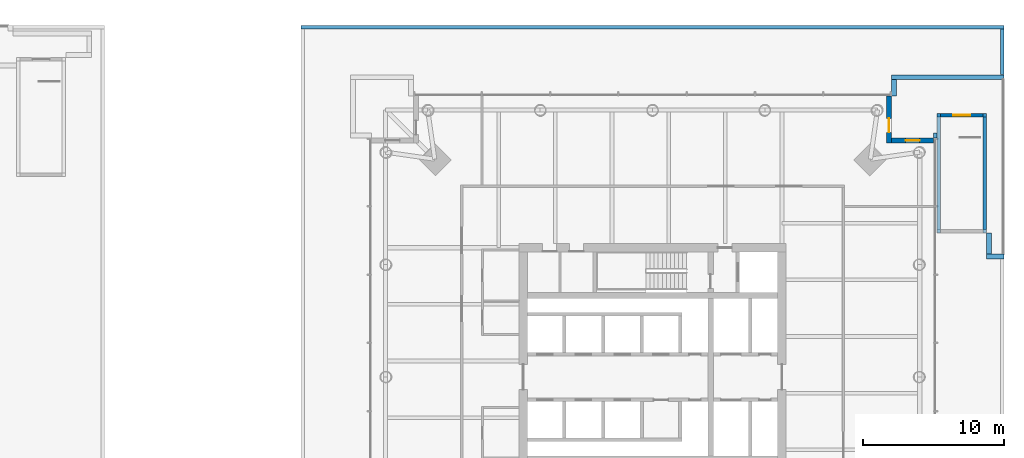
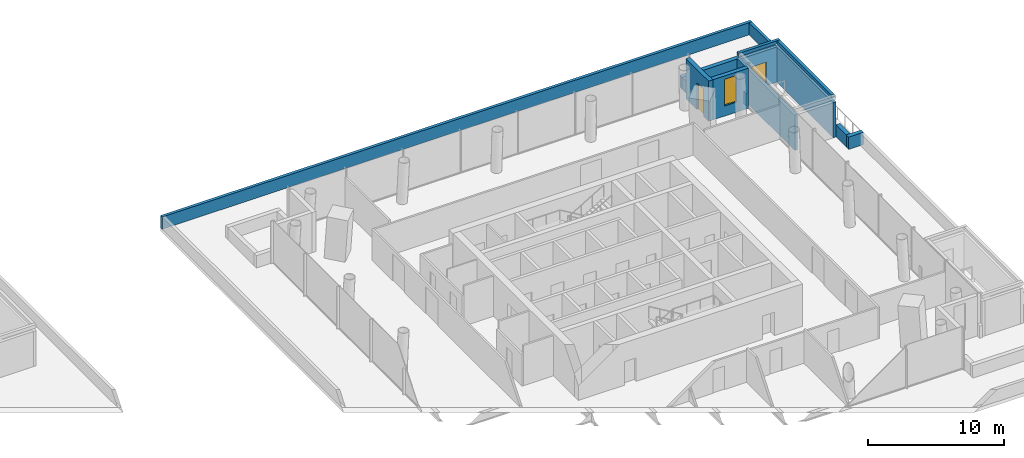
# One storey, part 16 of 19: 14 walls, 2 doors, 1 window, 3 openings.
"""IFC4 building model written with IfcOpenShell, lengths in metres."""

from ifc_helpers import new_model, si_unit, direction, frame, frame_2d, origin, place, context, subcontext, project, spatial, rectangle, extrude, material, layer, layer_set, type_object, element, fill, save


model = new_model("IFC4")

# Units and contexts
model_context = context("Model", 3, precision=1e-05, world=origin(), true_north=direction((0.0, 1.0)))
body_context = subcontext(model_context, "Body", "Model", "MODEL_VIEW")
ifc_project = project(units=[si_unit("LENGTHUNIT", "METRE"), si_unit("AREAUNIT", "SQUARE_METRE"), si_unit("VOLUMEUNIT", "CUBIC_METRE"), si_unit("PLANEANGLEUNIT", "RADIAN"), si_unit("MASSUNIT", "GRAM", prefix="KILO")], contexts=[model_context])

# Site, building, storey
site_placement = place(None, origin())
site = spatial("IfcSite", under=ifc_project, at=site_placement, CompositionType="ELEMENT")
building_placement = place(site_placement, origin())
building = spatial("IfcBuilding", under=site, at=building_placement, Name="Ostroluk Exchange", CompositionType="ELEMENT")
storey_placement = place(building_placement, frame((0.0, 0.0, 21.0)))
storey = spatial("IfcBuildingStorey", under=building, at=storey_placement, Name="L04", CompositionType="ELEMENT", Elevation=21.0)

# Walls
ifc_material_1 = material(Name="Limestone", Category="masonry")
ifc_layer_1 = layer(ifc_material_1, 0.25)
ifc_layer_set_1 = layer_set([ifc_layer_1], Name="Green roof parapet 250")
wall_type_1 = type_object("IfcWallType", Name="Green roof parapet 250", PredefinedType="PARAPET", material=ifc_layer_set_1)
wall_1_placement = place(storey_placement, frame((92.0, 70.875, 0.0), z_axis=(0.0, 0.0, 1.0), x_axis=(1.0, 0.0, 0.0)))
element("IfcWall", 1, at=wall_1_placement, inside=storey, type_object=wall_type_1, Name="Green roof parapet L04 3", PredefinedType="PARAPET", context=body_context, shape_type="SweptSolid", body=[
    extrude(rectangle(XDim=50.0, YDim=0.25, at=frame_2d((25.0, 0.0))), origin(), (0.0, 0.0, 1.0), 1.10009765625),
])
wall_2_placement = place(storey_placement, frame((141.875, 67.510009765625, 0.0), z_axis=(0.0, 0.0, 1.0), x_axis=(0.0, 1.0, 0.0)))
element("IfcWall", 2, at=wall_2_placement, inside=storey, type_object=wall_type_1, Name="Green roof parapet L04 5", PredefinedType="PARAPET", context=body_context, shape_type="SweptSolid", body=[
    extrude(rectangle(XDim=3.239990234375, YDim=0.25, at=frame_2d((1.6201171875, 0.0))), origin(), (0.0, 0.0, 1.0), 1.10009765625),
])

# Wall, opening, door
ifc_material_2 = material(Name="Limestone", Category="masonry")
ifc_layer_2 = layer(ifc_material_2, 0.35009765625)
ifc_layer_set_2 = layer_set([ifc_layer_2], Name="Limestone facade wall 350")
wall_type_2 = type_object("IfcWallType", Name="Limestone facade wall 350", PredefinedType="SOLIDWALL", material=ifc_layer_set_2)
wall_3_placement = place(storey_placement, frame((133.824951171875, 66.0, 0.0), z_axis=(0.0, 0.0, 1.0), x_axis=(0.0, -1.0, 0.0)))
wall_3 = element("IfcWall", 3, at=wall_3_placement, inside=storey, type_object=wall_type_2, Name="Hotel tower NE corner wall L04 a", PredefinedType="SOLIDWALL", context=body_context, shape_type="SweptSolid", body=[
    extrude(rectangle(XDim=3.35009765625, YDim=0.35009765625, at=frame_2d((1.675048828125, 0.0))), origin(), (0.0, 0.0, 1.0), 3.60009765625),
])
opening_1_placement = place(wall_3_placement, frame((1.60009765625, 0.0, 0.0)))
opening_1 = element("IfcOpeningElement", 4, at=opening_1_placement, cuts=wall_3, Name="Opening D-B1", PredefinedType="OPENING", context=body_context, shape_type="SweptSolid", body=[
    extrude(rectangle(XDim=1.0, YDim=2.39990234375, at=frame_2d((0.5, 1.199951171875))), frame((0.0, 0.18505859375, 0.0), z_axis=(0.0, -1.0, 0.0), x_axis=(1.0, 0.0, 0.0)), (0.0, 0.0, 1.0), 0.3701171875),
])
ifc_material_3 = material(Name="Bronze framed glazed door", Category="aluminium")
door_type_1 = type_object("IfcDoorType", Name="Balcony door 1000 x 2400", OperationType="SINGLE_SWING_LEFT", PredefinedType="DOOR", material=ifc_material_3)
door_1_placement = place(opening_1_placement, origin())
door_1 = element("IfcDoor", 5, at=door_1_placement, inside=storey, type_object=door_type_1, Name="Hotel tower NE balcony door L04", OperationType="SINGLE_SWING_RIGHT", OverallHeight=2.39990234375, OverallWidth=1.0, PredefinedType="DOOR", context=body_context, shape_type="SweptSolid", body=[
    extrude(rectangle(XDim=1.0, YDim=2.39990234375, at=frame_2d((0.5, 1.199951171875))), frame((0.0, 0.02490234375, 0.0), z_axis=(0.0, -1.0, 0.0), x_axis=(1.0, 0.0, 0.0)), (0.0, 0.0, 1.0), 0.050048828125),
])
fill(opening_1, door_1)

# Wall, opening, window
wall_4_placement = place(storey_placement, frame((134.0, 62.824951171875, 0.0), z_axis=(0.0, 0.0, 1.0), x_axis=(1.0, 0.0, 0.0)))
wall_4 = element("IfcWall", 6, at=wall_4_placement, inside=storey, type_object=wall_type_2, Name="Hotel tower NE corner wall L04 b", PredefinedType="SOLIDWALL", context=body_context, shape_type="SweptSolid", body=[
    extrude(rectangle(XDim=3.0, YDim=0.35009765625, at=frame_2d((1.5, 0.0))), origin(), (0.0, 0.0, 1.0), 3.60009765625),
])
opening_2_placement = place(wall_4_placement, frame((1.0, 0.0, 0.89990234375)))
opening_2 = element("IfcOpeningElement", 7, at=opening_2_placement, cuts=wall_4, Name="Opening WN-L3", PredefinedType="OPENING", context=body_context, shape_type="SweptSolid", body=[
    extrude(rectangle(XDim=1.0, YDim=2.39990234375, at=frame_2d((0.5, 1.199951171875))), frame((0.0, 0.18505859375, 0.0), z_axis=(0.0, -1.0, 0.0), x_axis=(1.0, 0.0, 0.0)), (0.0, 0.0, 1.0), 0.3701171875),
])
ifc_material_4 = material(Name="Laminated clear glass", Category="glass")
window_type = type_object("IfcWindowType", Name="Hotel lancet window 1000 x 2400", PartitioningType="SINGLE_PANEL", PredefinedType="WINDOW", material=ifc_material_4)
window_placement = place(opening_2_placement, origin())
window = element("IfcWindow", 8, at=window_placement, inside=storey, type_object=window_type, Name="Hotel tower NE lancet window L04", OverallHeight=2.39990234375, OverallWidth=1.0, PartitioningType="SINGLE_PANEL", PredefinedType="WINDOW", context=body_context, shape_type="SweptSolid", body=[
    extrude(rectangle(XDim=1.0, YDim=2.39990234375, at=frame_2d((0.5, 1.199951171875))), frame((0.0, 0.030029296875, 0.0), z_axis=(0.0, -1.0, 0.0), x_axis=(1.0, 0.0, 0.0)), (0.0, 0.0, 1.0), 0.06005859375),
])
fill(opening_2, window)

# Walls
ifc_material_5 = material(Name="Limestone", Category="masonry")
ifc_layer_3 = layer(ifc_material_5, 0.35009765625)
ifc_layer_set_3 = layer_set([ifc_layer_3], Name="Planter wall 350")
wall_type_3 = type_object("IfcWallType", Name="Planter wall 350", PredefinedType="PARAPET", material=ifc_layer_set_3)
wall_5_placement = place(storey_placement, frame((134.175048828125, 65.989990234375, 0.0), z_axis=(0.0, 0.0, 1.0), x_axis=(0.0, 1.0, 0.0)))
element("IfcWall", 9, at=wall_5_placement, inside=storey, type_object=wall_type_3, Name="Terrace planter wall L04 1", PredefinedType="PARAPET", context=body_context, shape_type="SweptSolid", body=[
    extrude(rectangle(XDim=1.159912109375, YDim=0.35009765625, at=frame_2d((0.580078125, 0.0))), origin(), (0.0, 0.0, 1.0), 1.10009765625),
])
wall_6_placement = place(storey_placement, frame((134.0, 67.324951171875, 0.0), z_axis=(0.0, 0.0, 1.0), x_axis=(1.0, 0.0, 0.0)))
element("IfcWall", 10, at=wall_6_placement, inside=storey, type_object=wall_type_3, Name="Terrace planter wall L04 2", PredefinedType="PARAPET", context=body_context, shape_type="SweptSolid", body=[
    extrude(rectangle(XDim=8.0, YDim=0.35009765625, at=frame_2d((4.0, 0.0))), origin(), (0.0, 0.0, 1.0), 1.10009765625),
])
wall_7_placement = place(storey_placement, frame((137.114990234375, 63.0, 0.0), z_axis=(0.0, 0.0, 1.0), x_axis=(0.0, 1.0, 0.0)))
element("IfcWall", 11, at=wall_7_placement, inside=storey, type_object=wall_type_3, Name="Terrace planter wall L04 3", PredefinedType="PARAPET", context=body_context, shape_type="SweptSolid", body=[
    extrude(rectangle(XDim=0.35009765625, YDim=0.25, at=frame_2d((0.175048828125, 0.0))), origin(), (0.0, 0.0, 1.0), 1.10009765625),
])
wall_8_placement = place(storey_placement, frame((140.75, 54.574951171875, 0.0), z_axis=(0.0, 0.0, 1.0), x_axis=(1.0, 0.0, 0.0)))
element("IfcWall", 12, at=wall_8_placement, inside=storey, type_object=wall_type_3, Name="Terrace planter wall L04 4", PredefinedType="PARAPET", context=body_context, shape_type="SweptSolid", body=[
    extrude(rectangle(XDim=1.25, YDim=0.35009765625, at=frame_2d((0.625, 0.0))), origin(), (0.0, 0.0, 1.0), 1.10009765625),
])
wall_9_placement = place(storey_placement, frame((140.925048828125, 54.75, 0.0), z_axis=(0.0, 0.0, 1.0), x_axis=(0.0, 1.0, 0.0)))
element("IfcWall", 13, at=wall_9_placement, inside=storey, type_object=wall_type_3, Name="Terrace planter wall L04 5", PredefinedType="PARAPET", context=body_context, shape_type="SweptSolid", body=[
    extrude(rectangle(XDim=1.489990234375, YDim=0.35009765625, at=frame_2d((0.7451171875, 0.0))), origin(), (0.0, 0.0, 1.0), 1.10009765625),
])
ifc_material_6 = material(Name="Concrete C30/37", Category="concrete")
ifc_layer_4 = layer(ifc_material_6, 0.25)
ifc_layer_set_4 = layer_set([ifc_layer_4], Name="Stair head-house roof upstand 250 EI 120")
wall_type_4 = type_object("IfcWallType", Name="Stair head-house roof upstand 250 EI 120", PredefinedType="PARAPET", material=ifc_layer_set_4)
wall_10_placement = place(storey_placement, frame((137.25, 64.625, 3.39990234375), z_axis=(0.0, 0.0, 1.0), x_axis=(1.0, 0.0, 0.0)))
element("IfcWall", 14, at=wall_10_placement, inside=storey, type_object=wall_type_4, Name="Stair PS8 head-house roof upstand 3", PredefinedType="PARAPET", context=body_context, shape_type="SweptSolid", body=[
    extrude(rectangle(XDim=3.5, YDim=0.25, at=frame_2d((1.75, 0.0))), origin(), (0.0, 0.0, 1.0), 0.300048828125),
])
wall_11_placement = place(storey_placement, frame((140.625, 56.5, 3.39990234375), z_axis=(0.0, 0.0, 1.0), x_axis=(0.0, 1.0, 0.0)))
element("IfcWall", 15, at=wall_11_placement, inside=storey, type_object=wall_type_4, Name="Stair PS8 head-house roof upstand 4", PredefinedType="PARAPET", context=body_context, shape_type="SweptSolid", body=[
    extrude(rectangle(XDim=8.0, YDim=0.25, at=frame_2d((4.0, 0.0))), origin(), (0.0, 0.0, 1.0), 0.300048828125),
])
ifc_material_7 = material(Name="Concrete blockwork, load-bearing", Category="masonry")
ifc_layer_5 = layer(ifc_material_7, 0.25)
ifc_layer_set_5 = layer_set([ifc_layer_5], Name="Stair head-house wall, load-bearing blockwork 250, EI 120")
wall_type_5 = type_object("IfcWallType", Name="Stair head-house wall, load-bearing blockwork 250, EI 120", PredefinedType="SOLIDWALL", material=ifc_layer_set_5)
for number, where, z_axis, x_axis, name in (
    (16, (137.375, 56.25, 0.0), (0.0, 0.0, 1.0), (0.0, 1.0, 0.0), "Stair PS8 enclosure wall"),
    (17, (140.625, 56.25, 0.0), (0.0, 0.0, 1.0), (0.0, 1.0, 0.0), "Stair PS8 enclosure wall"),
):
    element("IfcWall", number, at=place(storey_placement, frame(where, z_axis=z_axis, x_axis=x_axis)), inside=storey, type_object=wall_type_5, Name=name, PredefinedType="SOLIDWALL", context=body_context, shape_type="SweptSolid", body=[
        extrude(rectangle(XDim=8.5, YDim=0.25, at=frame_2d((4.25, 0.0))), origin(), (0.0, 0.0, 1.0), 3.14990234375),
    ])

# Wall, opening, door
wall_12_placement = place(storey_placement, frame((137.5, 64.625, 0.0), z_axis=(0.0, 0.0, 1.0), x_axis=(1.0, 0.0, 0.0)))
wall_12 = element("IfcWall", 18, at=wall_12_placement, inside=storey, type_object=wall_type_5, Name="Stair PS8 enclosure wall", PredefinedType="SOLIDWALL", context=body_context, shape_type="SweptSolid", body=[
    extrude(rectangle(XDim=3.0, YDim=0.25, at=frame_2d((1.5, 0.0))), origin(), (0.0, 0.0, 1.0), 3.14990234375),
])
opening_3_placement = place(wall_12_placement, frame((0.89990234375, 0.0, 0.0)))
opening_3 = element("IfcOpeningElement", 19, at=opening_3_placement, cuts=wall_12, Name="Opening FD60S", PredefinedType="OPENING", context=body_context, shape_type="SweptSolid", body=[
    extrude(rectangle(XDim=1.199951171875, YDim=2.10009765625, at=frame_2d((0.60009765625, 1.050048828125))), frame((0.0, 0.135009765625, 0.0), z_axis=(0.0, -1.0, 0.0), x_axis=(1.0, 0.0, 0.0)), (0.0, 0.0, 1.0), 0.27001953125),
])
ifc_material_8 = material(Name="Steel", Category="steel")
door_type_2 = type_object("IfcDoorType", Name="Stair door EI 60 1200 x 2100", OperationType="SINGLE_SWING_LEFT", PredefinedType="DOOR", material=ifc_material_8)
door_2_placement = place(opening_3_placement, origin())
door_2 = element("IfcDoor", 20, at=door_2_placement, inside=storey, type_object=door_type_2, Name="Stair PS8 door", OperationType="SINGLE_SWING_LEFT", OverallHeight=2.10009765625, OverallWidth=1.199951171875, PredefinedType="DOOR", context=body_context, shape_type="SweptSolid", body=[
    extrude(rectangle(XDim=1.199951171875, YDim=2.10009765625, at=frame_2d((0.60009765625, 1.050048828125))), frame((0.0, 0.02490234375, 0.0), z_axis=(0.0, -1.0, 0.0), x_axis=(1.0, 0.0, 0.0)), (0.0, 0.0, 1.0), 0.050048828125),
])
fill(opening_3, door_2)

save(model, "model.ifc")
